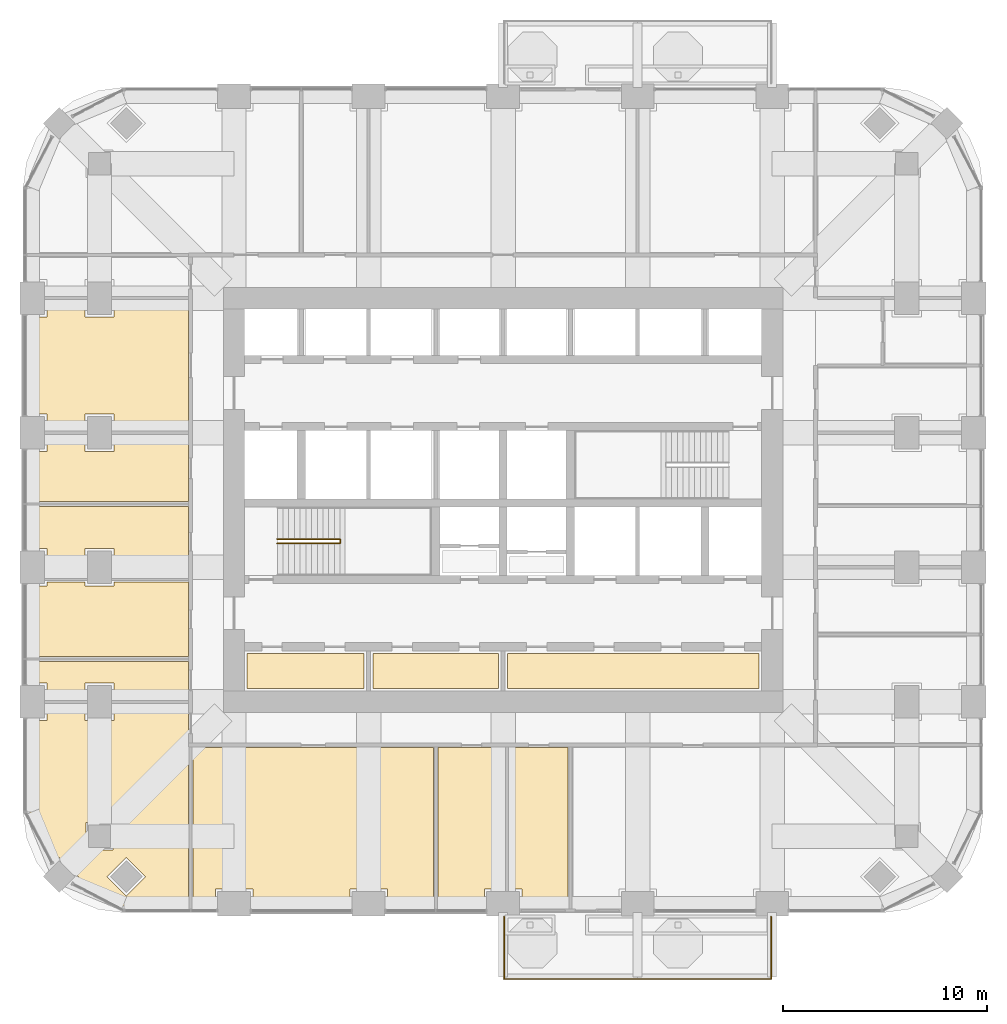
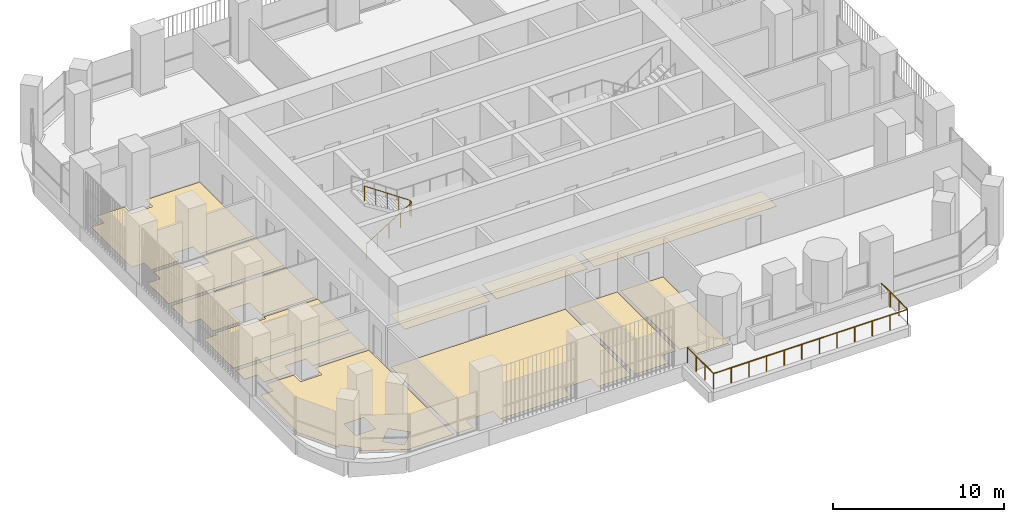
# One storey, part 16 of 19: 12 coverings, 2 railings.
"""IFC4 building model written with IfcOpenShell, lengths in metres."""

from ifc_helpers import new_model, si_unit, direction, frame, origin, place, context, subcontext, project, spatial, polyline, outline, extrude, material, layer, layer_set, type_object, element, save


model = new_model("IFC4")

# Units and contexts
model_context = context("Model", 3, precision=1e-05, world=origin(), true_north=direction((0.0, 1.0)))
body_context = subcontext(model_context, "Body", "Model", "MODEL_VIEW")
ifc_project = project(units=[si_unit("LENGTHUNIT", "METRE"), si_unit("AREAUNIT", "SQUARE_METRE"), si_unit("VOLUMEUNIT", "CUBIC_METRE"), si_unit("PLANEANGLEUNIT", "RADIAN"), si_unit("MASSUNIT", "GRAM", prefix="KILO")], contexts=[model_context])

# Site, building, storey
site_placement = place(None, origin())
site = spatial("IfcSite", under=ifc_project, at=site_placement, CompositionType="ELEMENT")
building_placement = place(site_placement, origin())
building = spatial("IfcBuilding", under=site, at=building_placement, Name="Cobogo Forest Laboratory Tower", CompositionType="ELEMENT")
storey_placement = place(building_placement, frame((0.0, 0.0, 197.699951171875)))
storey = spatial("IfcBuildingStorey", under=building, at=storey_placement, Name="L45", CompositionType="ELEMENT", Elevation=197.699951171875)

# Railing
ifc_material_1 = material(Name="Laminated glass balustrade", Category="glass")
railing_type_1 = type_object("IfcRailingType", Name="BG1 glass balustrade 1100", PredefinedType="GUARDRAIL", material=ifc_material_1)
railing_1_placement = place(storey_placement, frame((26.449951171875, 2.64990234375, 0.0)))
element("IfcRailing", 1, at=railing_1_placement, inside=storey, type_object=railing_type_1, Name="Balcony balustrade BAL-S1 L45", PredefinedType="GUARDRAIL", context=body_context, shape_type="SweptSolid", body=[
    extrude(outline(polyline([(0.022216796875, 0.00927734375), (0.00927734375, 0.022216796875), (-0.00927734375, 0.022216796875), (-0.022216796875, 0.00927734375), (-0.022216796875, -0.00927734375), (-0.00927734375, -0.022216796875), (0.00927734375, -0.022216796875), (0.022216796875, -0.00927734375), (0.022216796875, 0.00927734375)])), frame((0.0, 0.0, 1.077880859375), z_axis=(0.0, -1.0, 0.0), x_axis=(1.0, 0.0, 0.0)), (0.0, 0.0, 1.0), 3.0498046875),
    extrude(outline(polyline([(0.022216796875, 0.00927734375), (0.00927734375, 0.022216796875), (-0.00927734375, 0.022216796875), (-0.022216796875, 0.00927734375), (-0.022216796875, -0.00927734375), (-0.00927734375, -0.022216796875), (0.00927734375, -0.022216796875), (0.022216796875, -0.00927734375), (0.022216796875, 0.00927734375)])), frame((0.0, -3.0498046875, 1.077880859375), z_axis=(1.0, 0.0, 0.0), x_axis=(0.0, 1.0, 0.0)), (0.0, 0.0, 1.0), 13.10009765625),
    extrude(outline(polyline([(0.022216796875, 0.00927734375), (0.00927734375, 0.022216796875), (-0.00927734375, 0.022216796875), (-0.022216796875, 0.00927734375), (-0.022216796875, -0.00927734375), (-0.00927734375, -0.022216796875), (0.00927734375, -0.022216796875), (0.022216796875, -0.00927734375), (0.022216796875, 0.00927734375)])), frame((13.10009765625, -3.0498046875, 1.077880859375), z_axis=(0.0, 1.0, 0.0), x_axis=(-1.0, 0.0, 0.0)), (0.0, 0.0, 1.0), 3.0498046875),
    extrude(outline(polyline([(0.019287109375, 0.008056640625), (0.008056640625, 0.019287109375), (-0.008056640625, 0.019287109375), (-0.019287109375, 0.008056640625), (-0.019287109375, -0.008056640625), (-0.008056640625, -0.019287109375), (0.008056640625, -0.019287109375), (0.019287109375, -0.008056640625), (0.019287109375, 0.008056640625)])), origin(), (0.0, 0.0, 1.0), 1.077880859375),
    extrude(outline(polyline([(0.019287109375, 0.008056640625), (0.008056640625, 0.019287109375), (-0.008056640625, 0.019287109375), (-0.019287109375, 0.008056640625), (-0.019287109375, -0.008056640625), (-0.008056640625, -0.019287109375), (0.008056640625, -0.019287109375), (0.019287109375, -0.008056640625), (0.019287109375, 0.008056640625)])), frame((0.0, -1.0166015625, 0.0)), (0.0, 0.0, 1.0), 1.077880859375),
    extrude(outline(polyline([(0.019287109375, 0.008056640625), (0.008056640625, 0.019287109375), (-0.008056640625, 0.019287109375), (-0.019287109375, 0.008056640625), (-0.019287109375, -0.008056640625), (-0.008056640625, -0.019287109375), (0.008056640625, -0.019287109375), (0.019287109375, -0.008056640625), (0.019287109375, 0.008056640625)])), frame((0.0, -2.033203125, 0.0)), (0.0, 0.0, 1.0), 1.077880859375),
    extrude(outline(polyline([(0.019287109375, 0.008056640625), (0.008056640625, 0.019287109375), (-0.008056640625, 0.019287109375), (-0.019287109375, 0.008056640625), (-0.019287109375, -0.008056640625), (-0.008056640625, -0.019287109375), (0.008056640625, -0.019287109375), (0.019287109375, -0.008056640625), (0.019287109375, 0.008056640625)])), frame((0.0, -3.0498046875, 0.0)), (0.0, 0.0, 1.0), 1.077880859375),
    extrude(outline(polyline([(0.019287109375, 0.008056640625), (0.008056640625, 0.019287109375), (-0.008056640625, 0.019287109375), (-0.019287109375, 0.008056640625), (-0.019287109375, -0.008056640625), (-0.008056640625, -0.019287109375), (0.008056640625, -0.019287109375), (0.019287109375, -0.008056640625), (0.019287109375, 0.008056640625)])), frame((1.19091796875, -3.0498046875, 0.0)), (0.0, 0.0, 1.0), 1.077880859375),
    extrude(outline(polyline([(0.019287109375, 0.008056640625), (0.008056640625, 0.019287109375), (-0.008056640625, 0.019287109375), (-0.019287109375, 0.008056640625), (-0.019287109375, -0.008056640625), (-0.008056640625, -0.019287109375), (0.008056640625, -0.019287109375), (0.019287109375, -0.008056640625), (0.019287109375, 0.008056640625)])), frame((2.3818359375, -3.0498046875, 0.0)), (0.0, 0.0, 1.0), 1.077880859375),
    extrude(outline(polyline([(0.019287109375, 0.008056640625), (0.008056640625, 0.019287109375), (-0.008056640625, 0.019287109375), (-0.019287109375, 0.008056640625), (-0.019287109375, -0.008056640625), (-0.008056640625, -0.019287109375), (0.008056640625, -0.019287109375), (0.019287109375, -0.008056640625), (0.019287109375, 0.008056640625)])), frame((3.57275390625, -3.0498046875, 0.0)), (0.0, 0.0, 1.0), 1.077880859375),
    extrude(outline(polyline([(0.019287109375, 0.008056640625), (0.008056640625, 0.019287109375), (-0.008056640625, 0.019287109375), (-0.019287109375, 0.008056640625), (-0.019287109375, -0.008056640625), (-0.008056640625, -0.019287109375), (0.008056640625, -0.019287109375), (0.019287109375, -0.008056640625), (0.019287109375, 0.008056640625)])), frame((4.763671875, -3.0498046875, 0.0)), (0.0, 0.0, 1.0), 1.077880859375),
    extrude(outline(polyline([(0.019287109375, 0.008056640625), (0.008056640625, 0.019287109375), (-0.008056640625, 0.019287109375), (-0.019287109375, 0.008056640625), (-0.019287109375, -0.008056640625), (-0.008056640625, -0.019287109375), (0.008056640625, -0.019287109375), (0.019287109375, -0.008056640625), (0.019287109375, 0.008056640625)])), frame((5.95458984375, -3.0498046875, 0.0)), (0.0, 0.0, 1.0), 1.077880859375),
    extrude(outline(polyline([(0.019287109375, 0.008056640625), (0.008056640625, 0.019287109375), (-0.008056640625, 0.019287109375), (-0.019287109375, 0.008056640625), (-0.019287109375, -0.008056640625), (-0.008056640625, -0.019287109375), (0.008056640625, -0.019287109375), (0.019287109375, -0.008056640625), (0.019287109375, 0.008056640625)])), frame((7.1455078125, -3.0498046875, 0.0)), (0.0, 0.0, 1.0), 1.077880859375),
    extrude(outline(polyline([(0.019287109375, 0.008056640625), (0.008056640625, 0.019287109375), (-0.008056640625, 0.019287109375), (-0.019287109375, 0.008056640625), (-0.019287109375, -0.008056640625), (-0.008056640625, -0.019287109375), (0.008056640625, -0.019287109375), (0.019287109375, -0.008056640625), (0.019287109375, 0.008056640625)])), frame((8.33642578125, -3.0498046875, 0.0)), (0.0, 0.0, 1.0), 1.077880859375),
    extrude(outline(polyline([(0.019287109375, 0.008056640625), (0.008056640625, 0.019287109375), (-0.008056640625, 0.019287109375), (-0.019287109375, 0.008056640625), (-0.019287109375, -0.008056640625), (-0.008056640625, -0.019287109375), (0.008056640625, -0.019287109375), (0.019287109375, -0.008056640625), (0.019287109375, 0.008056640625)])), frame((9.52734375, -3.0498046875, 0.0)), (0.0, 0.0, 1.0), 1.077880859375),
    extrude(outline(polyline([(0.019287109375, 0.008056640625), (0.008056640625, 0.019287109375), (-0.008056640625, 0.019287109375), (-0.019287109375, 0.008056640625), (-0.019287109375, -0.008056640625), (-0.008056640625, -0.019287109375), (0.008056640625, -0.019287109375), (0.019287109375, -0.008056640625), (0.019287109375, 0.008056640625)])), frame((10.71826171875, -3.0498046875, 0.0)), (0.0, 0.0, 1.0), 1.077880859375),
    extrude(outline(polyline([(0.019287109375, 0.008056640625), (0.008056640625, 0.019287109375), (-0.008056640625, 0.019287109375), (-0.019287109375, 0.008056640625), (-0.019287109375, -0.008056640625), (-0.008056640625, -0.019287109375), (0.008056640625, -0.019287109375), (0.019287109375, -0.008056640625), (0.019287109375, 0.008056640625)])), frame((11.9091796875, -3.0498046875, 0.0)), (0.0, 0.0, 1.0), 1.077880859375),
    extrude(outline(polyline([(0.019287109375, 0.008056640625), (0.008056640625, 0.019287109375), (-0.008056640625, 0.019287109375), (-0.019287109375, 0.008056640625), (-0.019287109375, -0.008056640625), (-0.008056640625, -0.019287109375), (0.008056640625, -0.019287109375), (0.019287109375, -0.008056640625), (0.019287109375, 0.008056640625)])), frame((13.10009765625, -3.0498046875, 0.0)), (0.0, 0.0, 1.0), 1.077880859375),
    extrude(outline(polyline([(0.019287109375, 0.008056640625), (0.008056640625, 0.019287109375), (-0.008056640625, 0.019287109375), (-0.019287109375, 0.008056640625), (-0.019287109375, -0.008056640625), (-0.008056640625, -0.019287109375), (0.008056640625, -0.019287109375), (0.019287109375, -0.008056640625), (0.019287109375, 0.008056640625)])), frame((13.10009765625, -2.033203125, 0.0)), (0.0, 0.0, 1.0), 1.077880859375),
    extrude(outline(polyline([(0.019287109375, 0.008056640625), (0.008056640625, 0.019287109375), (-0.008056640625, 0.019287109375), (-0.019287109375, 0.008056640625), (-0.019287109375, -0.008056640625), (-0.008056640625, -0.019287109375), (0.008056640625, -0.019287109375), (0.019287109375, -0.008056640625), (0.019287109375, 0.008056640625)])), frame((13.10009765625, -1.0166015625, 0.0)), (0.0, 0.0, 1.0), 1.077880859375),
    extrude(outline(polyline([(0.019287109375, 0.008056640625), (0.008056640625, 0.019287109375), (-0.008056640625, 0.019287109375), (-0.019287109375, 0.008056640625), (-0.019287109375, -0.008056640625), (-0.008056640625, -0.019287109375), (0.008056640625, -0.019287109375), (0.019287109375, -0.008056640625), (0.019287109375, 0.008056640625)])), frame((13.10009765625, 0.0, 0.0)), (0.0, 0.0, 1.0), 1.077880859375),
])

# Coverings
ifc_material_2 = material(Name="Carpet tile on raised access floor", Category="flooring")
ifc_layer_1 = layer(ifc_material_2, 0.008056640625)
ifc_layer_set_1 = layer_set([ifc_layer_1], Name="CT1 carpet tile floor 8")
covering_type_1 = type_object("IfcCoveringType", Name="CT1 carpet tile floor 8", PredefinedType="FLOORING", material=ifc_layer_set_1)
covering_1_placement = place(storey_placement, origin())
element("IfcCovering", 2, at=covering_1_placement, inside=storey, type_object=covering_type_1, Name="Carpet floor L45-02", PredefinedType="FLOORING", context=body_context, shape_type="SweptSolid", body=[
    extrude(outline(polyline([(26.47998046875, 10.955078125), (26.47998046875, 4.02001953125), (25.47998046875, 4.02001953125), (25.47998046875, 3.14990234375), (23.219970703125, 3.14990234375), (23.219970703125, 10.955078125), (26.47998046875, 10.955078125)])), origin(), (0.0, 0.0, 1.0), 0.008056640625),
])
covering_2_placement = place(storey_placement, origin())
element("IfcCovering", 3, at=covering_2_placement, inside=storey, type_object=covering_type_1, Name="Carpet floor L45-16", PredefinedType="FLOORING", context=body_context, shape_type="SweptSolid", body=[
    extrude(outline(polyline([(10.955078125, 3.14990234375), (7.84912109375, 3.14990234375), (5.387939453125, 4.440185546875), (5.5654296875, 4.617919921875), (4.617919921875, 5.5654296875), (4.440185546875, 5.387939453125), (3.14990234375, 7.84912109375), (3.14990234375, 12.280029296875), (4.02001953125, 12.280029296875), (4.02001953125, 13.080078125), (5.8798828125, 13.080078125), (5.8798828125, 12.280029296875), (7.320068359375, 12.280029296875), (7.320068359375, 13.080078125), (10.955078125, 13.080078125), (10.955078125, 3.14990234375)]), holes=[polyline([(7.91796875, 3.67041015625), (8.865478515625, 4.617919921875), (7.91796875, 5.5654296875), (6.970458984375, 4.617919921875), (7.91796875, 3.67041015625)]), polyline([(5.929931640625, 5.929931640625), (7.27001953125, 5.929931640625), (7.27001953125, 7.27001953125), (5.929931640625, 7.27001953125), (5.929931640625, 5.929931640625)])]), origin(), (0.0, 0.0, 1.0), 0.008056640625),
])
covering_3_placement = place(storey_placement, origin())
element("IfcCovering", 4, at=covering_3_placement, inside=storey, type_object=covering_type_1, Name="Carpet floor L45-32", PredefinedType="FLOORING", context=body_context, shape_type="SweptSolid", body=[
    extrude(outline(polyline([(19.580078125, 13.844970703125), (13.844970703125, 13.844970703125), (13.844970703125, 15.580078125), (19.580078125, 15.580078125), (19.580078125, 13.844970703125)])), origin(), (0.0, 0.0, 1.0), 0.008056640625),
])
covering_4_placement = place(storey_placement, origin())
element("IfcCovering", 5, at=covering_4_placement, inside=storey, type_object=covering_type_1, Name="Carpet floor L45-34", PredefinedType="FLOORING", context=body_context, shape_type="SweptSolid", body=[
    extrude(outline(polyline([(38.955078125, 13.844970703125), (26.6201171875, 13.844970703125), (26.6201171875, 15.580078125), (38.955078125, 15.580078125), (38.955078125, 13.844970703125)])), origin(), (0.0, 0.0, 1.0), 0.008056640625),
])

# Railing
ifc_material_3 = material(Name="Steel balustrade", Category="steel")
railing_type_2 = type_object("IfcRailingType", Name="GR stair guard 1100", PredefinedType="GUARDRAIL", material=ifc_material_3)
railing_2_placement = place(storey_placement, frame((15.324951171875, 20.969970703125, 0.175048828125)))
element("IfcRailing", 6, at=railing_2_placement, inside=storey, type_object=railing_type_2, Name="Stair guard ST1 L45", PredefinedType="GUARDRAIL", context=body_context, shape_type="SweptSolid", body=[
    extrude(outline(polyline([(0.022216796875, 0.00927734375), (0.00927734375, 0.022216796875), (-0.00927734375, 0.022216796875), (-0.022216796875, 0.00927734375), (-0.022216796875, -0.00927734375), (-0.00927734375, -0.022216796875), (0.00927734375, -0.022216796875), (0.022216796875, -0.00927734375), (0.022216796875, 0.00927734375)])), frame((0.0, 0.0, 1.077880859375), z_axis=(0.847998304005, 0.0, 0.529998940003), x_axis=(0.0, 1.0, 0.0)), (0.0, 0.0, 1.0), 3.632080078125),
    extrude(outline(polyline([(0.022216796875, 0.00927734375), (0.00927734375, 0.022216796875), (-0.00927734375, 0.022216796875), (-0.022216796875, 0.00927734375), (-0.022216796875, -0.00927734375), (-0.00927734375, -0.022216796875), (0.00927734375, -0.022216796875), (0.022216796875, -0.00927734375), (0.022216796875, 0.00927734375)])), frame((3.080078125, 0.0, 3.0029296875), z_axis=(0.0, 1.0, 0.0), x_axis=(-1.0, 0.0, 0.0)), (0.0, 0.0, 1.0), 0.2099609375),
    extrude(outline(polyline([(0.022216796875, 0.00927734375), (0.00927734375, 0.022216796875), (-0.00927734375, 0.022216796875), (-0.022216796875, 0.00927734375), (-0.022216796875, -0.00927734375), (-0.00927734375, -0.022216796875), (0.00927734375, -0.022216796875), (0.022216796875, -0.00927734375), (0.022216796875, 0.00927734375)])), frame((3.080078125, 0.2099609375, 3.0029296875), z_axis=(-0.826252282691, 0.0, 0.563300244406), x_axis=(0.0, -1.0, 0.0)), (0.0, 0.0, 1.0), 3.727783203125),
    extrude(outline(polyline([(0.019287109375, 0.008056640625), (0.008056640625, 0.019287109375), (-0.008056640625, 0.019287109375), (-0.019287109375, 0.008056640625), (-0.019287109375, -0.008056640625), (-0.008056640625, -0.019287109375), (0.008056640625, -0.019287109375), (0.019287109375, -0.008056640625), (0.019287109375, 0.008056640625)])), origin(), (0.0, 0.0, 1.0), 1.077880859375),
    extrude(outline(polyline([(0.019287109375, 0.008056640625), (0.008056640625, 0.019287109375), (-0.008056640625, 0.019287109375), (-0.019287109375, 0.008056640625), (-0.019287109375, -0.008056640625), (-0.008056640625, -0.019287109375), (0.008056640625, -0.019287109375), (0.019287109375, -0.008056640625), (0.019287109375, 0.008056640625)])), frame((0.77001953125, 0.0, 0.481201171875)), (0.0, 0.0, 1.0), 1.077880859375),
    extrude(outline(polyline([(0.019287109375, 0.008056640625), (0.008056640625, 0.019287109375), (-0.008056640625, 0.019287109375), (-0.019287109375, 0.008056640625), (-0.019287109375, -0.008056640625), (-0.008056640625, -0.019287109375), (0.008056640625, -0.019287109375), (0.019287109375, -0.008056640625), (0.019287109375, 0.008056640625)])), frame((1.5400390625, 0.0, 0.96240234375)), (0.0, 0.0, 1.0), 1.077880859375),
    extrude(outline(polyline([(0.019287109375, 0.008056640625), (0.008056640625, 0.019287109375), (-0.008056640625, 0.019287109375), (-0.019287109375, 0.008056640625), (-0.019287109375, -0.008056640625), (-0.008056640625, -0.019287109375), (0.008056640625, -0.019287109375), (0.019287109375, -0.008056640625), (0.019287109375, 0.008056640625)])), frame((2.31005859375, 0.0, 1.44384765625)), (0.0, 0.0, 1.0), 1.077880859375),
    extrude(outline(polyline([(0.019287109375, 0.008056640625), (0.008056640625, 0.019287109375), (-0.008056640625, 0.019287109375), (-0.019287109375, 0.008056640625), (-0.019287109375, -0.008056640625), (-0.008056640625, -0.019287109375), (0.008056640625, -0.019287109375), (0.019287109375, -0.008056640625), (0.019287109375, 0.008056640625)])), frame((3.080078125, 0.0, 1.925048828125)), (0.0, 0.0, 1.0), 1.077880859375),
    extrude(outline(polyline([(0.019287109375, 0.008056640625), (0.008056640625, 0.019287109375), (-0.008056640625, 0.019287109375), (-0.019287109375, 0.008056640625), (-0.019287109375, -0.008056640625), (-0.008056640625, -0.019287109375), (0.008056640625, -0.019287109375), (0.019287109375, -0.008056640625), (0.019287109375, 0.008056640625)])), frame((3.080078125, 0.2099609375, 1.925048828125)), (0.0, 0.0, 1.0), 1.077880859375),
    extrude(outline(polyline([(0.019287109375, 0.008056640625), (0.008056640625, 0.019287109375), (-0.008056640625, 0.019287109375), (-0.019287109375, 0.008056640625), (-0.019287109375, -0.008056640625), (-0.008056640625, -0.019287109375), (0.008056640625, -0.019287109375), (0.019287109375, -0.008056640625), (0.019287109375, 0.008056640625)])), frame((2.31005859375, 0.2099609375, 2.449951171875)), (0.0, 0.0, 1.0), 1.077880859375),
    extrude(outline(polyline([(0.019287109375, 0.008056640625), (0.008056640625, 0.019287109375), (-0.008056640625, 0.019287109375), (-0.019287109375, 0.008056640625), (-0.019287109375, -0.008056640625), (-0.008056640625, -0.019287109375), (0.008056640625, -0.019287109375), (0.019287109375, -0.008056640625), (0.019287109375, 0.008056640625)])), frame((1.5400390625, 0.2099609375, 2.97509765625)), (0.0, 0.0, 1.0), 1.077880859375),
    extrude(outline(polyline([(0.019287109375, 0.008056640625), (0.008056640625, 0.019287109375), (-0.008056640625, 0.019287109375), (-0.019287109375, 0.008056640625), (-0.019287109375, -0.008056640625), (-0.008056640625, -0.019287109375), (0.008056640625, -0.019287109375), (0.019287109375, -0.008056640625), (0.019287109375, 0.008056640625)])), frame((0.77001953125, 0.2099609375, 3.5)), (0.0, 0.0, 1.0), 1.077880859375),
    extrude(outline(polyline([(0.019287109375, 0.008056640625), (0.008056640625, 0.019287109375), (-0.008056640625, 0.019287109375), (-0.019287109375, 0.008056640625), (-0.019287109375, -0.008056640625), (-0.008056640625, -0.019287109375), (0.008056640625, -0.019287109375), (0.019287109375, -0.008056640625), (0.019287109375, 0.008056640625)])), frame((0.0, 0.2099609375, 4.02490234375)), (0.0, 0.0, 1.0), 1.077880859375),
])

# Coverings
ifc_material_4 = material(Name="Static-dissipative vinyl flooring", Category="flooring")
ifc_layer_2 = layer(ifc_material_4, 0.0029296875)
ifc_layer_set_2 = layer_set([ifc_layer_2], Name="SD1 static-dissipative vinyl floor 3")
covering_type_2 = type_object("IfcCoveringType", Name="SD1 static-dissipative vinyl floor 3", PredefinedType="FLOORING", material=ifc_layer_set_2)
covering_5_placement = place(storey_placement, origin())
element("IfcCovering", 7, at=covering_5_placement, inside=storey, type_object=covering_type_2, Name="Static-dissipative floor L45-01", PredefinedType="FLOORING", context=body_context, shape_type="SweptSolid", body=[
    extrude(outline(polyline([(22.97998046875, 10.955078125), (22.97998046875, 3.14990234375), (20.719970703125, 3.14990234375), (20.719970703125, 4.02001953125), (18.8798828125, 4.02001953125), (18.8798828125, 3.14990234375), (14.1201171875, 3.14990234375), (14.1201171875, 4.02001953125), (12.280029296875, 4.02001953125), (12.280029296875, 3.14990234375), (11.195068359375, 3.14990234375), (11.195068359375, 10.955078125), (22.97998046875, 10.955078125)])), origin(), (0.0, 0.0, 1.0), 0.0029296875),
])
covering_6_placement = place(storey_placement, origin())
element("IfcCovering", 8, at=covering_6_placement, inside=storey, type_object=covering_type_2, Name="Static-dissipative floor L45-21", PredefinedType="FLOORING", context=body_context, shape_type="SweptSolid", body=[
    extrude(outline(polyline([(10.955078125, 26.52001953125), (7.320068359375, 26.52001953125), (7.320068359375, 27.320068359375), (5.8798828125, 27.320068359375), (5.8798828125, 26.52001953125), (4.02001953125, 26.52001953125), (4.02001953125, 27.320068359375), (3.14990234375, 27.320068359375), (3.14990234375, 32.080078125), (4.02001953125, 32.080078125), (4.02001953125, 32.8798828125), (5.8798828125, 32.8798828125), (5.8798828125, 32.080078125), (7.320068359375, 32.080078125), (7.320068359375, 32.8798828125), (10.955078125, 32.8798828125), (10.955078125, 26.52001953125)])), origin(), (0.0, 0.0, 1.0), 0.0029296875),
])
ifc_material_5 = material(Name="Ceramic floor tile", Category="flooring")
ifc_layer_3 = layer(ifc_material_5, 0.010009765625)
ifc_layer_set_3 = layer_set([ifc_layer_3], Name="TF1 ceramic tile floor 10")
covering_type_3 = type_object("IfcCoveringType", Name="TF1 ceramic tile floor 10", PredefinedType="FLOORING", material=ifc_layer_set_3)
covering_7_placement = place(storey_placement, origin())
element("IfcCovering", 9, at=covering_7_placement, inside=storey, type_object=covering_type_3, Name="Tile floor L45-03", PredefinedType="FLOORING", context=body_context, shape_type="SweptSolid", body=[
    extrude(outline(polyline([(29.580078125, 10.955078125), (29.580078125, 3.14990234375), (27.320068359375, 3.14990234375), (27.320068359375, 4.02001953125), (26.719970703125, 4.02001953125), (26.719970703125, 10.955078125), (29.580078125, 10.955078125)])), origin(), (0.0, 0.0, 1.0), 0.010009765625),
])
covering_8_placement = place(storey_placement, origin())
element("IfcCovering", 10, at=covering_8_placement, inside=storey, type_object=covering_type_3, Name="Tile floor L45-17", PredefinedType="FLOORING", context=body_context, shape_type="SweptSolid", body=[
    extrude(outline(polyline([(10.955078125, 13.320068359375), (7.320068359375, 13.320068359375), (7.320068359375, 14.1201171875), (5.8798828125, 14.1201171875), (5.8798828125, 13.320068359375), (4.02001953125, 13.320068359375), (4.02001953125, 14.1201171875), (3.14990234375, 14.1201171875), (3.14990234375, 15.179931640625), (10.955078125, 15.179931640625), (10.955078125, 13.320068359375)])), origin(), (0.0, 0.0, 1.0), 0.010009765625),
])
covering_9_placement = place(storey_placement, origin())
element("IfcCovering", 11, at=covering_9_placement, inside=storey, type_object=covering_type_3, Name="Tile floor L45-18", PredefinedType="FLOORING", context=body_context, shape_type="SweptSolid", body=[
    extrude(outline(polyline([(10.955078125, 15.419921875), (3.14990234375, 15.419921875), (3.14990234375, 18.8798828125), (4.02001953125, 18.8798828125), (4.02001953125, 19.080078125), (5.8798828125, 19.080078125), (5.8798828125, 18.8798828125), (7.320068359375, 18.8798828125), (7.320068359375, 19.080078125), (10.955078125, 19.080078125), (10.955078125, 15.419921875)])), origin(), (0.0, 0.0, 1.0), 0.010009765625),
])
covering_10_placement = place(storey_placement, origin())
element("IfcCovering", 12, at=covering_10_placement, inside=storey, type_object=covering_type_3, Name="Tile floor L45-19", PredefinedType="FLOORING", context=body_context, shape_type="SweptSolid", body=[
    extrude(outline(polyline([(10.955078125, 19.320068359375), (7.320068359375, 19.320068359375), (7.320068359375, 20.719970703125), (5.8798828125, 20.719970703125), (5.8798828125, 19.320068359375), (4.02001953125, 19.320068359375), (4.02001953125, 20.719970703125), (3.14990234375, 20.719970703125), (3.14990234375, 22.780029296875), (10.955078125, 22.780029296875), (10.955078125, 19.320068359375)])), origin(), (0.0, 0.0, 1.0), 0.010009765625),
])
covering_11_placement = place(storey_placement, origin())
element("IfcCovering", 13, at=covering_11_placement, inside=storey, type_object=covering_type_3, Name="Tile floor L45-20", PredefinedType="FLOORING", context=body_context, shape_type="SweptSolid", body=[
    extrude(outline(polyline([(10.955078125, 23.02001953125), (3.14990234375, 23.02001953125), (3.14990234375, 25.47998046875), (4.02001953125, 25.47998046875), (4.02001953125, 26.280029296875), (5.8798828125, 26.280029296875), (5.8798828125, 25.47998046875), (7.320068359375, 25.47998046875), (7.320068359375, 26.280029296875), (10.955078125, 26.280029296875), (10.955078125, 23.02001953125)])), origin(), (0.0, 0.0, 1.0), 0.010009765625),
])
covering_12_placement = place(storey_placement, origin())
element("IfcCovering", 14, at=covering_12_placement, inside=storey, type_object=covering_type_3, Name="Tile floor L45-33", PredefinedType="FLOORING", context=body_context, shape_type="SweptSolid", body=[
    extrude(outline(polyline([(26.179931640625, 13.844970703125), (20.02001953125, 13.844970703125), (20.02001953125, 15.580078125), (26.179931640625, 15.580078125), (26.179931640625, 13.844970703125)])), origin(), (0.0, 0.0, 1.0), 0.010009765625),
])

save(model, "model.ifc")
